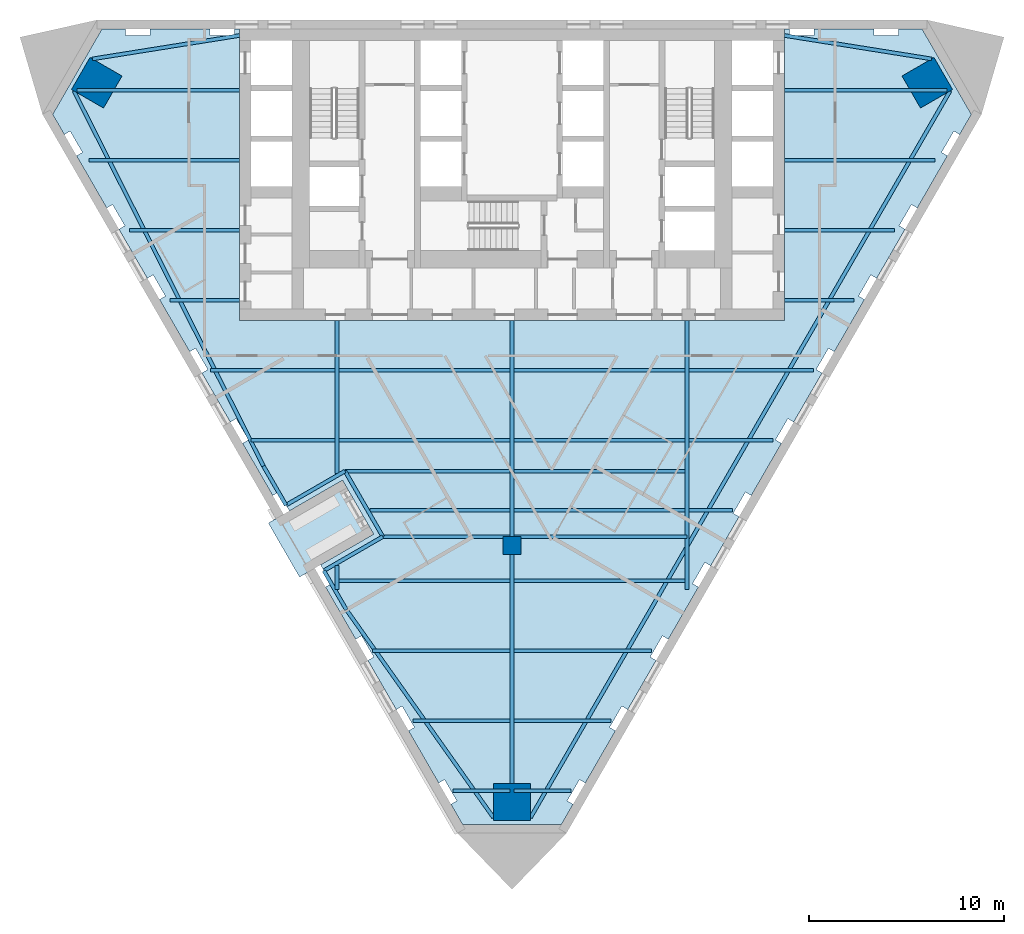
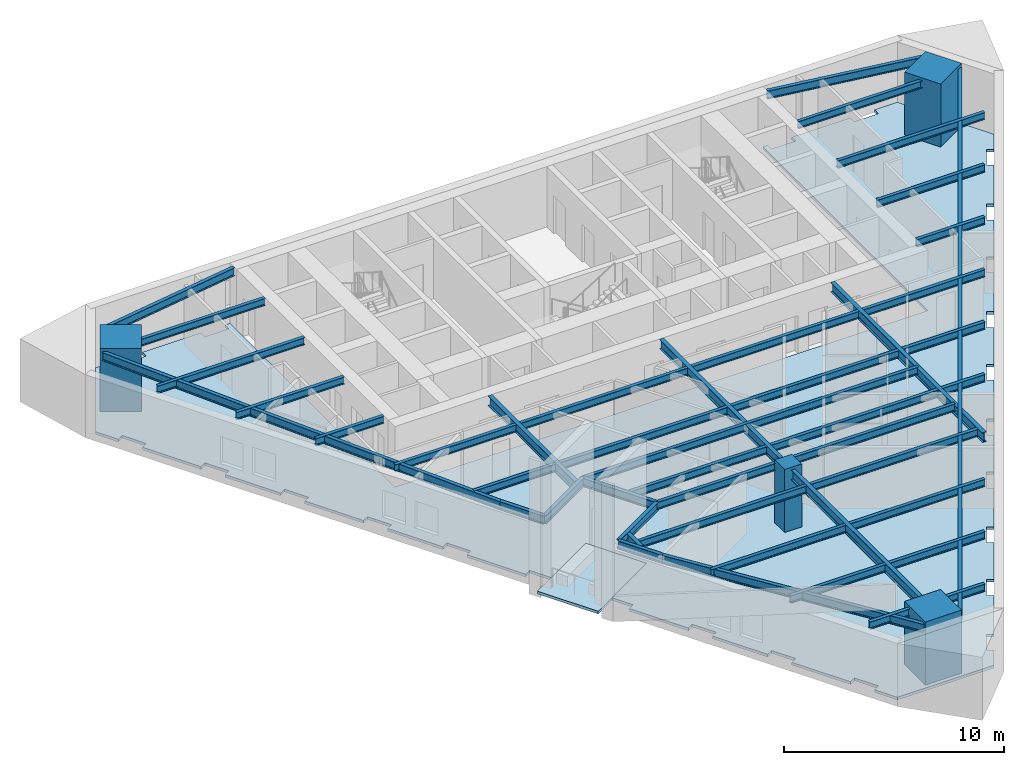
# One storey, part 1 of 9: 44 beams, 4 columns, 2 slabs.
"""IFC4 building model written with IfcOpenShell, lengths in metres."""

from ifc_helpers import new_model, si_unit, direction, frame, origin, origin_2d, place, context, subcontext, project, spatial, polyline, rectangle, i_section, outline, extrude, material, layer, layer_set, material_profile, profile_set, type_object, element, save


model = new_model("IFC4")

# Units and contexts
model_context = context("Model", 3, precision=1e-05, world=origin(), true_north=direction((0.0, 1.0)))
body_context = subcontext(model_context, "Body", "Model", "MODEL_VIEW")
ifc_project = project(units=[si_unit("LENGTHUNIT", "METRE"), si_unit("AREAUNIT", "SQUARE_METRE"), si_unit("VOLUMEUNIT", "CUBIC_METRE"), si_unit("PLANEANGLEUNIT", "RADIAN"), si_unit("MASSUNIT", "GRAM", prefix="KILO")], contexts=[model_context])

# Site, building, storey
site_placement = place(None, origin())
site = spatial("IfcSite", under=ifc_project, at=site_placement, CompositionType="ELEMENT")
building_placement = place(site_placement, origin())
building = spatial("IfcBuilding", under=site, at=building_placement, Name="Aloe Facet Convention Tower", CompositionType="ELEMENT")
storey_placement = place(building_placement, frame((0.0, 0.0, 99.300048828125)))
storey = spatial("IfcBuildingStorey", under=building, at=storey_placement, Name="L24", CompositionType="ELEMENT", Elevation=99.300048828125)

# Columns
ifc_material_1 = material(Name="Concrete C70/85", Category="concrete")
ifc_material_profile_1 = material_profile(ifc_material_1, rectangle(XDim=0.89990234375, YDim=0.89990234375, at=origin_2d()), Name="SF-GC-Z2")
ifc_profile_set_1 = profile_set([ifc_material_profile_1], Name="Concrete C70/85")
column_type_1 = type_object("IfcColumnType", Name="SF-GC-Z2", PredefinedType="COLUMN", material=ifc_profile_set_1)
column_placement = place(storey_placement, frame((80.0, 108.0, 0.0), z_axis=(0.0, 0.0, 1.0), x_axis=(1.0, 0.0, 0.0)))
element("IfcColumn", 1, at=column_placement, inside=storey, type_object=column_type_1, Name="Gravity column GC-Z2-9D", PredefinedType="COLUMN", context=body_context, shape_type="SweptSolid", body=[
    extrude(rectangle(XDim=0.89990234375, YDim=0.89990234375, at=origin_2d()), origin(), (0.0, 0.0, 1.0), 3.5),
])
ifc_material_2 = material(Name="Concrete C80/95", Category="concrete")
ifc_material_profile_2 = material_profile(ifc_material_2, rectangle(XDim=1.89990234375, YDim=1.89990234375, at=origin_2d()), Name="STW-MC-Z2")
ifc_profile_set_2 = profile_set([ifc_material_profile_2], Name="Concrete C80/95")
column_type_2 = type_object("IfcColumnType", Name="STW-MC-Z2", PredefinedType="COLUMN", material=ifc_profile_set_2)
for number, where, z_axis, x_axis, name in (
    (2, (101.3359375, 131.775146484375, 0.0), (0.0, 0.0, 1.0), (-0.5, 0.866025403784, 0.0), "Mega-column MC-NE-L24"),
    (3, (58.6640625, 131.775146484375, 0.0), (0.0, 0.0, 1.0), (-0.5, -0.866025403784, 0.0), "Mega-column MC-NW-L24"),
    (4, (80.0, 94.8203125, 0.0), (0.0, 0.0, 1.0), (1.0, 0.0, 0.0), "Mega-column MC-S-L24"),
):
    element("IfcColumn", number, at=place(storey_placement, frame(where, z_axis=z_axis, x_axis=x_axis)), inside=storey, type_object=column_type_2, Name=name, PredefinedType="COLUMN", context=body_context, shape_type="SweptSolid", body=[
        extrude(rectangle(XDim=1.89990234375, YDim=1.89990234375, at=origin_2d()), origin(), (0.0, 0.0, 1.0), 3.5),
    ])

# Beams
ifc_material_3 = material(Name="Steel S355", Category="steel")
ifc_material_profile_3 = material_profile(ifc_material_3, i_section(OverallWidth=0.177734375, OverallDepth=0.402587890625, WebThickness=0.0078125, FlangeThickness=0.010986328125, FilletRadius=0.01025390625, at=origin_2d()), Name="UB 406x178x54")
ifc_profile_set_3 = profile_set([ifc_material_profile_3], Name="Steel S355")
beam_type_1 = type_object("IfcBeamType", Name="SF-B-UB406x178x54", PredefinedType="BEAM", material=ifc_profile_set_3)
beam_1_placement = place(storey_placement, frame((57.6376953125, 131.39990234375, 3.148681640625), z_axis=(1.0, 0.0, 0.0), x_axis=(0.0, 1.0, 0.0)))
element("IfcBeam", 5, at=beam_1_placement, inside=storey, type_object=beam_type_1, Name="Floor beam FB-Z2F-016", PredefinedType="BEAM", context=body_context, shape_type="SweptSolid", body=[
    extrude(i_section(OverallWidth=0.177734375, OverallDepth=0.402587890625, WebThickness=0.0078125, FlangeThickness=0.010986328125, FilletRadius=0.01025390625, at=origin_2d()), origin(), (0.0, 0.0, 1.0), 8.3623046875),
])
beam_2_placement = place(storey_placement, frame((58.27294921875, 127.800048828125, 3.148681640625), z_axis=(1.0, 0.0, 0.0), x_axis=(0.0, 1.0, 0.0)))
element("IfcBeam", 6, at=beam_2_placement, inside=storey, type_object=beam_type_1, Name="Floor beam FB-Z2F-017", PredefinedType="BEAM", context=body_context, shape_type="SweptSolid", body=[
    extrude(i_section(OverallWidth=0.177734375, OverallDepth=0.402587890625, WebThickness=0.0078125, FlangeThickness=0.010986328125, FilletRadius=0.01025390625, at=origin_2d()), origin(), (0.0, 0.0, 1.0), 7.72705078125),
])
beam_3_placement = place(storey_placement, frame((60.351318359375, 124.199951171875, 3.148681640625), z_axis=(1.0, 0.0, 0.0), x_axis=(0.0, 1.0, 0.0)))
element("IfcBeam", 7, at=beam_3_placement, inside=storey, type_object=beam_type_1, Name="Floor beam FB-Z2F-018", PredefinedType="BEAM", context=body_context, shape_type="SweptSolid", body=[
    extrude(i_section(OverallWidth=0.177734375, OverallDepth=0.402587890625, WebThickness=0.0078125, FlangeThickness=0.010986328125, FilletRadius=0.01025390625, at=origin_2d()), origin(), (0.0, 0.0, 1.0), 5.648681640625),
])
beam_4_placement = place(storey_placement, frame((62.429931640625, 120.60009765625, 3.148681640625), z_axis=(1.0, 0.0, 0.0), x_axis=(0.0, 1.0, 0.0)))
element("IfcBeam", 8, at=beam_4_placement, inside=storey, type_object=beam_type_1, Name="Floor beam FB-Z2F-019", PredefinedType="BEAM", context=body_context, shape_type="SweptSolid", body=[
    extrude(i_section(OverallWidth=0.177734375, OverallDepth=0.402587890625, WebThickness=0.0078125, FlangeThickness=0.010986328125, FilletRadius=0.01025390625, at=origin_2d()), origin(), (0.0, 0.0, 1.0), 3.570068359375),
])
beam_5_placement = place(storey_placement, frame((64.50830078125, 117.0, 3.148681640625), z_axis=(1.0, 0.0, 0.0), x_axis=(0.0, 1.0, 0.0)))
element("IfcBeam", 9, at=beam_5_placement, inside=storey, type_object=beam_type_1, Name="Floor beam FB-Z2F-020", PredefinedType="BEAM", context=body_context, shape_type="SweptSolid", body=[
    extrude(i_section(OverallWidth=0.177734375, OverallDepth=0.402587890625, WebThickness=0.0078125, FlangeThickness=0.010986328125, FilletRadius=0.01025390625, at=origin_2d()), origin(), (0.0, 0.0, 1.0), 6.38623046875),
])
beam_6_placement = place(storey_placement, frame((66.5869140625, 113.39990234375, 3.148681640625), z_axis=(1.0, 0.0, 0.0), x_axis=(0.0, 1.0, 0.0)))
element("IfcBeam", 10, at=beam_6_placement, inside=storey, type_object=beam_type_1, Name="Floor beam FB-Z2F-021", PredefinedType="BEAM", context=body_context, shape_type="SweptSolid", body=[
    extrude(i_section(OverallWidth=0.177734375, OverallDepth=0.402587890625, WebThickness=0.0078125, FlangeThickness=0.010986328125, FilletRadius=0.01025390625, at=origin_2d()), origin(), (0.0, 0.0, 1.0), 4.3076171875),
])
for number, where, z_axis, x_axis, name in (
    (11, (71.10546875, 106.199951171875, 3.148681640625), (1.0, 0.0, 0.0), (0.0, 1.0, 0.0), "Floor beam FB-Z2F-022"),
    (12, (71.10546875, 113.39990234375, 3.148681640625), (1.0, 0.0, 0.0), (0.0, 1.0, 0.0), "Floor beam FB-Z2F-023"),
    (13, (71.10546875, 117.0, 3.148681640625), (1.0, 0.0, 0.0), (0.0, 1.0, 0.0), "Floor beam FB-Z2F-024"),
):
    element("IfcBeam", number, at=place(storey_placement, frame(where, z_axis=z_axis, x_axis=x_axis)), inside=storey, type_object=beam_type_1, Name=name, PredefinedType="BEAM", context=body_context, shape_type="SweptSolid", body=[
        extrude(i_section(OverallWidth=0.177734375, OverallDepth=0.402587890625, WebThickness=0.0078125, FlangeThickness=0.010986328125, FilletRadius=0.01025390625, at=origin_2d()), origin(), (0.0, 0.0, 1.0), 8.7890625),
    ])
beam_7_placement = place(storey_placement, frame((71.41845703125, 111.82421875, 3.148681640625), z_axis=(1.0, 0.0, 0.0), x_axis=(0.0, 1.0, 0.0)))
element("IfcBeam", 14, at=beam_7_placement, inside=storey, type_object=beam_type_1, Name="Floor beam FB-Z2F-025", PredefinedType="BEAM", context=body_context, shape_type="SweptSolid", body=[
    extrude(i_section(OverallWidth=0.177734375, OverallDepth=0.402587890625, WebThickness=0.0078125, FlangeThickness=0.010986328125, FilletRadius=0.01025390625, at=origin_2d()), origin(), (0.0, 0.0, 1.0), 17.58154296875),
])
beam_8_placement = place(storey_placement, frame((72.706787109375, 109.800048828125, 3.148681640625), z_axis=(1.0, 0.0, 0.0), x_axis=(0.0, 1.0, 0.0)))
element("IfcBeam", 15, at=beam_8_placement, inside=storey, type_object=beam_type_1, Name="Floor beam FB-Z2F-026", PredefinedType="BEAM", context=body_context, shape_type="SweptSolid", body=[
    extrude(i_section(OverallWidth=0.177734375, OverallDepth=0.402587890625, WebThickness=0.0078125, FlangeThickness=0.010986328125, FilletRadius=0.01025390625, at=origin_2d()), origin(), (0.0, 0.0, 1.0), 7.187744140625),
])
beam_9_placement = place(storey_placement, frame((72.822265625, 102.60009765625, 3.148681640625), z_axis=(1.0, 0.0, 0.0), x_axis=(0.0, 1.0, 0.0)))
element("IfcBeam", 16, at=beam_9_placement, inside=storey, type_object=beam_type_1, Name="Floor beam FB-Z2F-027", PredefinedType="BEAM", context=body_context, shape_type="SweptSolid", body=[
    extrude(i_section(OverallWidth=0.177734375, OverallDepth=0.402587890625, WebThickness=0.0078125, FlangeThickness=0.010986328125, FilletRadius=0.01025390625, at=origin_2d()), origin(), (0.0, 0.0, 1.0), 7.072265625),
])
beam_10_placement = place(storey_placement, frame((73.36328125, 108.455322265625, 3.148681640625), z_axis=(1.0, 0.0, 0.0), x_axis=(0.0, 1.0, 0.0)))
element("IfcBeam", 17, at=beam_10_placement, inside=storey, type_object=beam_type_1, Name="Floor beam FB-Z2F-028", PredefinedType="BEAM", context=body_context, shape_type="SweptSolid", body=[
    extrude(i_section(OverallWidth=0.177734375, OverallDepth=0.402587890625, WebThickness=0.0078125, FlangeThickness=0.010986328125, FilletRadius=0.01025390625, at=origin_2d()), origin(), (0.0, 0.0, 1.0), 15.63671875),
])
beam_11_placement = place(storey_placement, frame((74.900634765625, 99.0, 3.148681640625), z_axis=(1.0, 0.0, 0.0), x_axis=(0.0, 1.0, 0.0)))
element("IfcBeam", 18, at=beam_11_placement, inside=storey, type_object=beam_type_1, Name="Floor beam FB-Z2F-029", PredefinedType="BEAM", context=body_context, shape_type="SweptSolid", body=[
    extrude(i_section(OverallWidth=0.177734375, OverallDepth=0.402587890625, WebThickness=0.0078125, FlangeThickness=0.010986328125, FilletRadius=0.01025390625, at=origin_2d()), origin(), (0.0, 0.0, 1.0), 4.993896484375),
])
for number, where, z_axis, x_axis, name in (
    (19, (76.97900390625, 95.39990234375, 3.148681640625), (1.0, 0.0, 0.0), (0.0, 1.0, 0.0), "Floor beam FB-Z2F-030"),
    (20, (80.10546875, 95.39990234375, 3.148681640625), (1.0, 0.0, 0.0), (0.0, 1.0, 0.0), "Floor beam FB-Z2F-031"),
):
    element("IfcBeam", number, at=place(storey_placement, frame(where, z_axis=z_axis, x_axis=x_axis)), inside=storey, type_object=beam_type_1, Name=name, PredefinedType="BEAM", context=body_context, shape_type="SweptSolid", body=[
        extrude(i_section(OverallWidth=0.177734375, OverallDepth=0.402587890625, WebThickness=0.0078125, FlangeThickness=0.010986328125, FilletRadius=0.01025390625, at=origin_2d()), origin(), (0.0, 0.0, 1.0), 2.91552734375),
    ])
beam_12_placement = place(storey_placement, frame((80.10546875, 99.0, 3.148681640625), z_axis=(1.0, 0.0, 0.0), x_axis=(0.0, 1.0, 0.0)))
element("IfcBeam", 21, at=beam_12_placement, inside=storey, type_object=beam_type_1, Name="Floor beam FB-Z2F-032", PredefinedType="BEAM", context=body_context, shape_type="SweptSolid", body=[
    extrude(i_section(OverallWidth=0.177734375, OverallDepth=0.402587890625, WebThickness=0.0078125, FlangeThickness=0.010986328125, FilletRadius=0.01025390625, at=origin_2d()), origin(), (0.0, 0.0, 1.0), 4.993896484375),
])
beam_13_placement = place(storey_placement, frame((80.10546875, 102.60009765625, 3.148681640625), z_axis=(1.0, 0.0, 0.0), x_axis=(0.0, 1.0, 0.0)))
element("IfcBeam", 22, at=beam_13_placement, inside=storey, type_object=beam_type_1, Name="Floor beam FB-Z2F-033", PredefinedType="BEAM", context=body_context, shape_type="SweptSolid", body=[
    extrude(i_section(OverallWidth=0.177734375, OverallDepth=0.402587890625, WebThickness=0.0078125, FlangeThickness=0.010986328125, FilletRadius=0.01025390625, at=origin_2d()), origin(), (0.0, 0.0, 1.0), 7.072265625),
])
for number, where, z_axis, x_axis, name in (
    (23, (80.10546875, 106.199951171875, 3.148681640625), (1.0, 0.0, 0.0), (0.0, 1.0, 0.0), "Floor beam FB-Z2F-034"),
    (24, (80.10546875, 109.800048828125, 3.148681640625), (1.0, 0.0, 0.0), (0.0, 1.0, 0.0), "Floor beam FB-Z2F-035"),
    (25, (80.10546875, 113.39990234375, 3.148681640625), (1.0, 0.0, 0.0), (0.0, 1.0, 0.0), "Floor beam FB-Z2F-036"),
    (26, (80.10546875, 117.0, 3.148681640625), (1.0, 0.0, 0.0), (0.0, 1.0, 0.0), "Floor beam FB-Z2F-037"),
):
    element("IfcBeam", number, at=place(storey_placement, frame(where, z_axis=z_axis, x_axis=x_axis)), inside=storey, type_object=beam_type_1, Name=name, PredefinedType="BEAM", context=body_context, shape_type="SweptSolid", body=[
        extrude(i_section(OverallWidth=0.177734375, OverallDepth=0.402587890625, WebThickness=0.0078125, FlangeThickness=0.010986328125, FilletRadius=0.01025390625, at=origin_2d()), origin(), (0.0, 0.0, 1.0), 8.7890625),
    ])
beam_14_placement = place(storey_placement, frame((89.10546875, 109.800048828125, 3.148681640625), z_axis=(1.0, 0.0, 0.0), x_axis=(0.0, 1.0, 0.0)))
element("IfcBeam", 27, at=beam_14_placement, inside=storey, type_object=beam_type_1, Name="Floor beam FB-Z2F-038", PredefinedType="BEAM", context=body_context, shape_type="SweptSolid", body=[
    extrude(i_section(OverallWidth=0.177734375, OverallDepth=0.402587890625, WebThickness=0.0078125, FlangeThickness=0.010986328125, FilletRadius=0.01025390625, at=origin_2d()), origin(), (0.0, 0.0, 1.0), 2.229248046875),
])
beam_15_placement = place(storey_placement, frame((89.10546875, 113.39990234375, 3.148681640625), z_axis=(1.0, 0.0, 0.0), x_axis=(0.0, 1.0, 0.0)))
element("IfcBeam", 28, at=beam_15_placement, inside=storey, type_object=beam_type_1, Name="Floor beam FB-Z2F-039", PredefinedType="BEAM", context=body_context, shape_type="SweptSolid", body=[
    extrude(i_section(OverallWidth=0.177734375, OverallDepth=0.402587890625, WebThickness=0.0078125, FlangeThickness=0.010986328125, FilletRadius=0.01025390625, at=origin_2d()), origin(), (0.0, 0.0, 1.0), 4.3076171875),
])
beam_16_placement = place(storey_placement, frame((89.10546875, 117.0, 3.148681640625), z_axis=(1.0, 0.0, 0.0), x_axis=(0.0, 1.0, 0.0)))
element("IfcBeam", 29, at=beam_16_placement, inside=storey, type_object=beam_type_1, Name="Floor beam FB-Z2F-040", PredefinedType="BEAM", context=body_context, shape_type="SweptSolid", body=[
    extrude(i_section(OverallWidth=0.177734375, OverallDepth=0.402587890625, WebThickness=0.0078125, FlangeThickness=0.010986328125, FilletRadius=0.01025390625, at=origin_2d()), origin(), (0.0, 0.0, 1.0), 6.38623046875),
])
beam_17_placement = place(storey_placement, frame((94.0, 120.60009765625, 3.148681640625), z_axis=(1.0, 0.0, 0.0), x_axis=(0.0, 1.0, 0.0)))
element("IfcBeam", 30, at=beam_17_placement, inside=storey, type_object=beam_type_1, Name="Floor beam FB-Z2F-041", PredefinedType="BEAM", context=body_context, shape_type="SweptSolid", body=[
    extrude(i_section(OverallWidth=0.177734375, OverallDepth=0.402587890625, WebThickness=0.0078125, FlangeThickness=0.010986328125, FilletRadius=0.01025390625, at=origin_2d()), origin(), (0.0, 0.0, 1.0), 3.570068359375),
])
beam_18_placement = place(storey_placement, frame((94.0, 124.199951171875, 3.148681640625), z_axis=(1.0, 0.0, 0.0), x_axis=(0.0, 1.0, 0.0)))
element("IfcBeam", 31, at=beam_18_placement, inside=storey, type_object=beam_type_1, Name="Floor beam FB-Z2F-042", PredefinedType="BEAM", context=body_context, shape_type="SweptSolid", body=[
    extrude(i_section(OverallWidth=0.177734375, OverallDepth=0.402587890625, WebThickness=0.0078125, FlangeThickness=0.010986328125, FilletRadius=0.01025390625, at=origin_2d()), origin(), (0.0, 0.0, 1.0), 5.648681640625),
])
beam_19_placement = place(storey_placement, frame((94.0, 127.800048828125, 3.148681640625), z_axis=(1.0, 0.0, 0.0), x_axis=(0.0, 1.0, 0.0)))
element("IfcBeam", 32, at=beam_19_placement, inside=storey, type_object=beam_type_1, Name="Floor beam FB-Z2F-043", PredefinedType="BEAM", context=body_context, shape_type="SweptSolid", body=[
    extrude(i_section(OverallWidth=0.177734375, OverallDepth=0.402587890625, WebThickness=0.0078125, FlangeThickness=0.010986328125, FilletRadius=0.01025390625, at=origin_2d()), origin(), (0.0, 0.0, 1.0), 7.72705078125),
])
beam_20_placement = place(storey_placement, frame((94.0, 131.39990234375, 3.148681640625), z_axis=(1.0, 0.0, 0.0), x_axis=(0.0, 1.0, 0.0)))
element("IfcBeam", 33, at=beam_20_placement, inside=storey, type_object=beam_type_1, Name="Floor beam FB-Z2F-044", PredefinedType="BEAM", context=body_context, shape_type="SweptSolid", body=[
    extrude(i_section(OverallWidth=0.177734375, OverallDepth=0.402587890625, WebThickness=0.0078125, FlangeThickness=0.010986328125, FilletRadius=0.01025390625, at=origin_2d()), origin(), (0.0, 0.0, 1.0), 8.3623046875),
])
ifc_material_4 = material(Name="Steel S355", Category="steel")
ifc_material_profile_4 = material_profile(ifc_material_4, i_section(OverallWidth=0.18994140625, OverallDepth=0.453369140625, WebThickness=0.008544921875, FlangeThickness=0.0126953125, FilletRadius=0.01025390625, at=origin_2d()), Name="UB 457x191x67")
ifc_profile_set_4 = profile_set([ifc_material_profile_4], Name="Steel S355")
beam_type_2 = type_object("IfcBeamType", Name="SF-B-UB457x191x67", PredefinedType="BEAM", material=ifc_profile_set_4)
beam_21_placement = place(storey_placement, frame((66.0, 134.205078125, 3.123291015625), z_axis=(-0.987536396348, -0.15739080624, 0.0), x_axis=(0.15739080624, -0.987536396348, 0.0)))
element("IfcBeam", 34, at=beam_21_placement, inside=storey, type_object=beam_type_2, Name="Floor beam FB-Z2F-001", PredefinedType="BEAM", context=body_context, shape_type="SweptSolid", body=[
    extrude(i_section(OverallWidth=0.18994140625, OverallDepth=0.453369140625, WebThickness=0.008544921875, FlangeThickness=0.0126953125, FilletRadius=0.01025390625, at=origin_2d()), origin(), (0.0, 0.0, 1.0), 7.653564453125),
])
beam_22_placement = place(storey_placement, frame((67.227783203125, 112.082763671875, 3.123291015625), z_axis=(-0.45090494264, 0.892571976203, 0.0), x_axis=(-0.892571976203, -0.45090494264, 0.0)))
element("IfcBeam", 35, at=beam_22_placement, inside=storey, type_object=beam_type_2, Name="Floor beam FB-Z2F-002", PredefinedType="BEAM", context=body_context, shape_type="SweptSolid", body=[
    extrude(i_section(OverallWidth=0.18994140625, OverallDepth=0.453369140625, WebThickness=0.008544921875, FlangeThickness=0.0126953125, FilletRadius=0.01025390625, at=origin_2d()), origin(), (0.0, 0.0, 1.0), 21.591796875),
])
beam_23_placement = place(storey_placement, frame((68.387451171875, 110.07421875, 3.123291015625), z_axis=(-0.500011000363, 0.866019052629, 0.0), x_axis=(-0.866019052629, -0.500011000363, 0.0)))
element("IfcBeam", 36, at=beam_23_placement, inside=storey, type_object=beam_type_2, Name="Floor beam FB-Z2F-003", PredefinedType="BEAM", context=body_context, shape_type="SweptSolid", body=[
    extrude(i_section(OverallWidth=0.18994140625, OverallDepth=0.453369140625, WebThickness=0.008544921875, FlangeThickness=0.0126953125, FilletRadius=0.01025390625, at=origin_2d()), origin(), (0.0, 0.0, 1.0), 2.3193359375),
])
for number, where, z_axis, x_axis, name in (
    (37, (70.332275390625, 106.705322265625, 3.123291015625), (0.866019471182, 0.500010275428, 0.0), (-0.500010275428, 0.866019471182, 0.0), "Floor beam FB-Z2F-004"),
    (38, (71.41845703125, 111.82421875, 3.123291015625), (-0.866019471182, -0.500010275428, 0.0), (0.500010275428, -0.866019471182, 0.0), "Floor beam FB-Z2F-005"),
):
    element("IfcBeam", number, at=place(storey_placement, frame(where, z_axis=z_axis, x_axis=x_axis)), inside=storey, type_object=beam_type_2, Name=name, PredefinedType="BEAM", context=body_context, shape_type="SweptSolid", body=[
        extrude(i_section(OverallWidth=0.18994140625, OverallDepth=0.453369140625, WebThickness=0.008544921875, FlangeThickness=0.0126953125, FilletRadius=0.01025390625, at=origin_2d()), origin(), (0.0, 0.0, 1.0), 3.5),
    ])
beam_24_placement = place(storey_placement, frame((71.491943359375, 104.69677734375, 3.123291015625), z_axis=(-0.500011000363, 0.866019052629, 0.0), x_axis=(-0.866019052629, -0.500011000363, 0.0)))
element("IfcBeam", 39, at=beam_24_placement, inside=storey, type_object=beam_type_2, Name="Floor beam FB-Z2F-006", PredefinedType="BEAM", context=body_context, shape_type="SweptSolid", body=[
    extrude(i_section(OverallWidth=0.18994140625, OverallDepth=0.453369140625, WebThickness=0.008544921875, FlangeThickness=0.0126953125, FilletRadius=0.01025390625, at=origin_2d()), origin(), (0.0, 0.0, 1.0), 2.3193359375),
])
beam_25_placement = place(storey_placement, frame((71.491943359375, 104.69677734375, 3.123291015625), z_axis=(0.577607271397, -0.81631479224, 0.0), x_axis=(0.81631479224, 0.577607271397, 0.0)))
element("IfcBeam", 40, at=beam_25_placement, inside=storey, type_object=beam_type_2, Name="Floor beam FB-Z2F-007", PredefinedType="BEAM", context=body_context, shape_type="SweptSolid", body=[
    extrude(i_section(OverallWidth=0.18994140625, OverallDepth=0.453369140625, WebThickness=0.008544921875, FlangeThickness=0.0126953125, FilletRadius=0.01025390625, at=origin_2d()), origin(), (0.0, 0.0, 1.0), 13.085205078125),
])
beam_26_placement = place(storey_placement, frame((73.36328125, 108.455322265625, 3.123291015625), z_axis=(-0.499959689288, 0.866048675934, 0.0), x_axis=(-0.866048675934, -0.499959689288, 0.0)))
element("IfcBeam", 41, at=beam_26_placement, inside=storey, type_object=beam_type_2, Name="Floor beam FB-Z2F-008", PredefinedType="BEAM", context=body_context, shape_type="SweptSolid", body=[
    extrude(i_section(OverallWidth=0.18994140625, OverallDepth=0.453369140625, WebThickness=0.008544921875, FlangeThickness=0.0126953125, FilletRadius=0.01025390625, at=origin_2d()), origin(), (0.0, 0.0, 1.0), 3.889892578125),
])
beam_27_placement = place(storey_placement, frame((94.0, 134.205078125, 3.123291015625), z_axis=(0.987536396348, -0.15739080624, 0.0), x_axis=(0.15739080624, 0.987536396348, 0.0)))
element("IfcBeam", 42, at=beam_27_placement, inside=storey, type_object=beam_type_2, Name="Floor beam FB-Z2F-009", PredefinedType="BEAM", context=body_context, shape_type="SweptSolid", body=[
    extrude(i_section(OverallWidth=0.18994140625, OverallDepth=0.453369140625, WebThickness=0.008544921875, FlangeThickness=0.0126953125, FilletRadius=0.01025390625, at=origin_2d()), origin(), (0.0, 0.0, 1.0), 7.653564453125),
])
beam_28_placement = place(storey_placement, frame((102.508056640625, 131.35498046875, 3.123291015625), z_axis=(-0.499998897659, -0.86602604022, 0.0), x_axis=(0.86602604022, -0.499998897659, 0.0)))
element("IfcBeam", 43, at=beam_28_placement, inside=storey, type_object=beam_type_2, Name="Floor beam FB-Z2F-010", PredefinedType="BEAM", context=body_context, shape_type="SweptSolid", body=[
    extrude(i_section(OverallWidth=0.18994140625, OverallDepth=0.453369140625, WebThickness=0.008544921875, FlangeThickness=0.0126953125, FilletRadius=0.01025390625, at=origin_2d()), origin(), (0.0, 0.0, 1.0), 43.1162109375),
])
ifc_material_5 = material(Name="Steel S355", Category="steel")
ifc_material_profile_5 = material_profile(ifc_material_5, i_section(OverallWidth=0.210693359375, OverallDepth=0.53955078125, WebThickness=0.01171875, FlangeThickness=0.018798828125, FilletRadius=0.0126953125, at=origin_2d()), Name="UB 533x210x109")
ifc_profile_set_5 = profile_set([ifc_material_profile_5], Name="Steel S355")
beam_type_3 = type_object("IfcBeamType", Name="SF-B-UB533x210x109", PredefinedType="BEAM", material=ifc_profile_set_5)
beam_29_placement = place(storey_placement, frame((71.0, 106.97119140625, 3.080078125), z_axis=(0.0, -1.0, 0.0), x_axis=(1.0, 0.0, 0.0)))
element("IfcBeam", 44, at=beam_29_placement, inside=storey, type_object=beam_type_3, Name="Floor beam FB-Z2F-011", PredefinedType="BEAM", context=body_context, shape_type="SweptSolid", body=[
    extrude(i_section(OverallWidth=0.210693359375, OverallDepth=0.53955078125, WebThickness=0.01171875, FlangeThickness=0.018798828125, FilletRadius=0.0126953125, at=origin_2d()), origin(), (0.0, 0.0, 1.0), 1.222412109375),
])
beam_30_placement = place(storey_placement, frame((71.0, 119.550048828125, 3.080078125), z_axis=(0.0, -1.0, 0.0), x_axis=(1.0, 0.0, 0.0)))
element("IfcBeam", 45, at=beam_30_placement, inside=storey, type_object=beam_type_3, Name="Floor beam FB-Z2F-012", PredefinedType="BEAM", context=body_context, shape_type="SweptSolid", body=[
    extrude(i_section(OverallWidth=0.210693359375, OverallDepth=0.53955078125, WebThickness=0.01171875, FlangeThickness=0.018798828125, FilletRadius=0.0126953125, at=origin_2d()), origin(), (0.0, 0.0, 1.0), 7.847900390625),
])
beam_31_placement = place(storey_placement, frame((80.0, 107.550048828125, 3.080078125), z_axis=(0.0, -1.0, 0.0), x_axis=(1.0, 0.0, 0.0)))
element("IfcBeam", 46, at=beam_31_placement, inside=storey, type_object=beam_type_3, Name="Floor beam FB-Z2F-013", PredefinedType="BEAM", context=body_context, shape_type="SweptSolid", body=[
    extrude(i_section(OverallWidth=0.210693359375, OverallDepth=0.53955078125, WebThickness=0.01171875, FlangeThickness=0.018798828125, FilletRadius=0.0126953125, at=origin_2d()), origin(), (0.0, 0.0, 1.0), 13.429931640625),
])
beam_32_placement = place(storey_placement, frame((80.0, 119.550048828125, 3.080078125), z_axis=(0.0, -1.0, 0.0), x_axis=(1.0, 0.0, 0.0)))
element("IfcBeam", 47, at=beam_32_placement, inside=storey, type_object=beam_type_3, Name="Floor beam FB-Z2F-014", PredefinedType="BEAM", context=body_context, shape_type="SweptSolid", body=[
    extrude(i_section(OverallWidth=0.210693359375, OverallDepth=0.53955078125, WebThickness=0.01171875, FlangeThickness=0.018798828125, FilletRadius=0.0126953125, at=origin_2d()), origin(), (0.0, 0.0, 1.0), 11.10009765625),
])
beam_33_placement = place(storey_placement, frame((89.0, 119.550048828125, 3.080078125), z_axis=(0.0, -1.0, 0.0), x_axis=(1.0, 0.0, 0.0)))
element("IfcBeam", 48, at=beam_33_placement, inside=storey, type_object=beam_type_3, Name="Floor beam FB-Z2F-015", PredefinedType="BEAM", context=body_context, shape_type="SweptSolid", body=[
    extrude(i_section(OverallWidth=0.210693359375, OverallDepth=0.53955078125, WebThickness=0.01171875, FlangeThickness=0.018798828125, FilletRadius=0.0126953125, at=origin_2d()), origin(), (0.0, 0.0, 1.0), 13.80126953125),
])

# Slabs
ifc_material_6 = material(Name="Concrete C35/45", Category="concrete")
ifc_layer_1 = layer(ifc_material_6, 0.14990234375)
ifc_layer_set_1 = layer_set([ifc_layer_1], Name="SF-FS-150")
slab_type_1 = type_object("IfcSlabType", Name="SF-FS-150", PredefinedType="FLOOR", material=ifc_layer_set_1)
slab_1_placement = place(storey_placement, frame((0.0, 0.0, -0.150146484375)))
element("IfcSlab", 49, at=slab_1_placement, inside=storey, type_object=slab_type_1, Name="Floor slab L24-1", PredefinedType="FLOOR", context=body_context, shape_type="SweptSolid", body=[
    extrude(outline(polyline([(58.938232421875, 134.550048828125), (60.1337890625, 134.550048828125), (60.1337890625, 134.199951171875), (61.39599609375, 134.199951171875), (61.39599609375, 134.550048828125), (64.489501953125, 134.550048828125), (64.489501953125, 134.199951171875), (65.751708984375, 134.199951171875), (65.751708984375, 134.550048828125), (66.0, 134.550048828125), (66.0, 131.949951171875), (66.0, 131.050048828125), (66.0, 129.35009765625), (66.0, 128.449951171875), (66.0, 126.449951171875), (66.0, 125.85009765625), (66.0, 124.5), (66.0, 123.449951171875), (66.0, 122.550048828125), (66.0, 121.5), (66.0, 119.550048828125), (69.300048828125, 119.550048828125), (72.10009765625, 119.550048828125), (73.14990234375, 119.550048828125), (74.300048828125, 119.550048828125), (75.35009765625, 119.550048828125), (77.5, 119.550048828125), (78.550048828125, 119.550048828125), (80.699951171875, 119.550048828125), (81.75, 119.550048828125), (82.64990234375, 119.550048828125), (83.699951171875, 119.550048828125), (84.64990234375, 119.550048828125), (85.699951171875, 119.550048828125), (86.85009765625, 119.550048828125), (87.89990234375, 119.550048828125), (88.550048828125, 119.550048828125), (89.60009765625, 119.550048828125), (90.699951171875, 119.550048828125), (91.300048828125, 119.550048828125), (94.0, 119.550048828125), (94.0, 122.523681640625), (94.0, 123.57373046875), (94.0, 125.85009765625), (94.0, 126.449951171875), (94.0, 128.449951171875), (94.0, 129.35009765625), (94.0, 131.050048828125), (94.0, 131.949951171875), (94.0, 134.550048828125), (94.248291015625, 134.550048828125), (94.248291015625, 134.199951171875), (95.510498046875, 134.199951171875), (95.510498046875, 134.550048828125), (98.60400390625, 134.550048828125), (98.60400390625, 134.199951171875), (99.8662109375, 134.199951171875), (99.8662109375, 134.550048828125), (101.061767578125, 134.550048828125), (103.601806640625, 130.150390625), (103.004150390625, 129.114990234375), (102.701171875, 129.289794921875), (102.06982421875, 128.19677734375), (102.373046875, 128.021728515625), (100.826416015625, 125.3427734375), (100.523193359375, 125.517822265625), (99.89208984375, 124.424560546875), (100.1953125, 124.24951171875), (98.739990234375, 121.72900390625), (98.436767578125, 121.90380859375), (97.8056640625, 120.810791015625), (98.108642578125, 120.6357421875), (96.56201171875, 117.956787109375), (96.2587890625, 118.1318359375), (95.627685546875, 117.03857421875), (95.930908203125, 116.863525390625), (94.4755859375, 114.343017578125), (94.172607421875, 114.517822265625), (93.541259765625, 113.4248046875), (93.844482421875, 113.249755859375), (92.297607421875, 110.57080078125), (91.99462890625, 110.745849609375), (91.36328125, 109.652587890625), (91.66650390625, 109.4775390625), (90.211181640625, 106.956787109375), (89.908203125, 107.1318359375), (89.277099609375, 106.038818359375), (89.580078125, 105.86376953125), (88.033447265625, 103.184814453125), (87.730224609375, 103.35986328125), (87.09912109375, 102.2666015625), (87.402099609375, 102.091552734375), (85.947021484375, 99.57080078125), (85.643798828125, 99.745849609375), (85.0126953125, 98.652587890625), (85.31591796875, 98.477783203125), (83.76904296875, 95.798828125), (83.466064453125, 95.973876953125), (82.834716796875, 94.880615234375), (83.137939453125, 94.70556640625), (82.540283203125, 93.67041015625), (77.459716796875, 93.67041015625), (76.862060546875, 94.70556640625), (77.165283203125, 94.880615234375), (76.533935546875, 95.973876953125), (76.23095703125, 95.798828125), (74.68408203125, 98.477783203125), (74.9873046875, 98.652587890625), (74.356201171875, 99.745849609375), (74.052978515625, 99.57080078125), (72.597900390625, 102.091552734375), (72.90087890625, 102.2666015625), (72.269775390625, 103.35986328125), (71.966552734375, 103.184814453125), (70.419921875, 105.86376953125), (70.722900390625, 106.038818359375), (70.164306640625, 107.006591796875), (72.89208984375, 108.58154296875), (71.292236328125, 111.352783203125), (68.564208984375, 109.77783203125), (68.00537109375, 110.745849609375), (67.702392578125, 110.57080078125), (66.155517578125, 113.249755859375), (66.458740234375, 113.4248046875), (65.827392578125, 114.517822265625), (65.5244140625, 114.343017578125), (64.069091796875, 116.863525390625), (64.372314453125, 117.03857421875), (63.7412109375, 118.1318359375), (63.43798828125, 117.956787109375), (61.891357421875, 120.6357421875), (62.1943359375, 120.810791015625), (61.563232421875, 121.90380859375), (61.260009765625, 121.72900390625), (59.8046875, 124.24951171875), (60.10791015625, 124.424560546875), (59.476806640625, 125.517822265625), (59.173583984375, 125.3427734375), (57.626953125, 128.021728515625), (57.93017578125, 128.19677734375), (57.298828125, 129.289794921875), (56.995849609375, 129.114990234375), (56.398193359375, 130.150390625), (58.938232421875, 134.550048828125)]), holes=[polyline([(80.449951171875, 107.550048828125), (80.449951171875, 108.449951171875), (79.550048828125, 108.449951171875), (79.550048828125, 107.550048828125), (80.449951171875, 107.550048828125)]), polyline([(58.31640625, 133.072998046875), (57.366455078125, 131.427490234375), (59.01171875, 130.477294921875), (59.9619140625, 132.122802734375), (58.31640625, 133.072998046875)]), polyline([(79.050048828125, 93.870361328125), (80.949951171875, 93.870361328125), (80.949951171875, 95.770263671875), (79.050048828125, 95.770263671875), (79.050048828125, 93.870361328125)]), polyline([(102.633544921875, 131.427490234375), (101.68359375, 133.072998046875), (100.0380859375, 132.122802734375), (100.98828125, 130.477294921875), (102.633544921875, 131.427490234375)])]), origin(), (0.0, 0.0, 1.0), 0.150146484375),
])
ifc_material_7 = material(Name="Concrete C35/45", Category="concrete")
ifc_layer_2 = layer(ifc_material_7, 0.14990234375)
ifc_layer_set_2 = layer_set([ifc_layer_2], Name="SF-TS-150")
slab_type_2 = type_object("IfcSlabType", Name="SF-TS-150", PredefinedType="FLOOR", material=ifc_layer_set_2)
slab_2_placement = place(storey_placement, frame((0.0, 0.0, -0.150146484375)))
element("IfcSlab", 50, at=slab_2_placement, inside=storey, type_object=slab_type_2, Name="Terrace slab T05", PredefinedType="FLOOR", context=body_context, shape_type="SweptSolid", body=[
    extrude(outline(polyline([(67.481689453125, 109.15283203125), (71.292236328125, 111.352783203125), (72.89208984375, 108.58154296875), (69.081787109375, 106.381591796875), (67.481689453125, 109.15283203125)])), origin(), (0.0, 0.0, 1.0), 0.150146484375),
])

save(model, "model.ifc")
